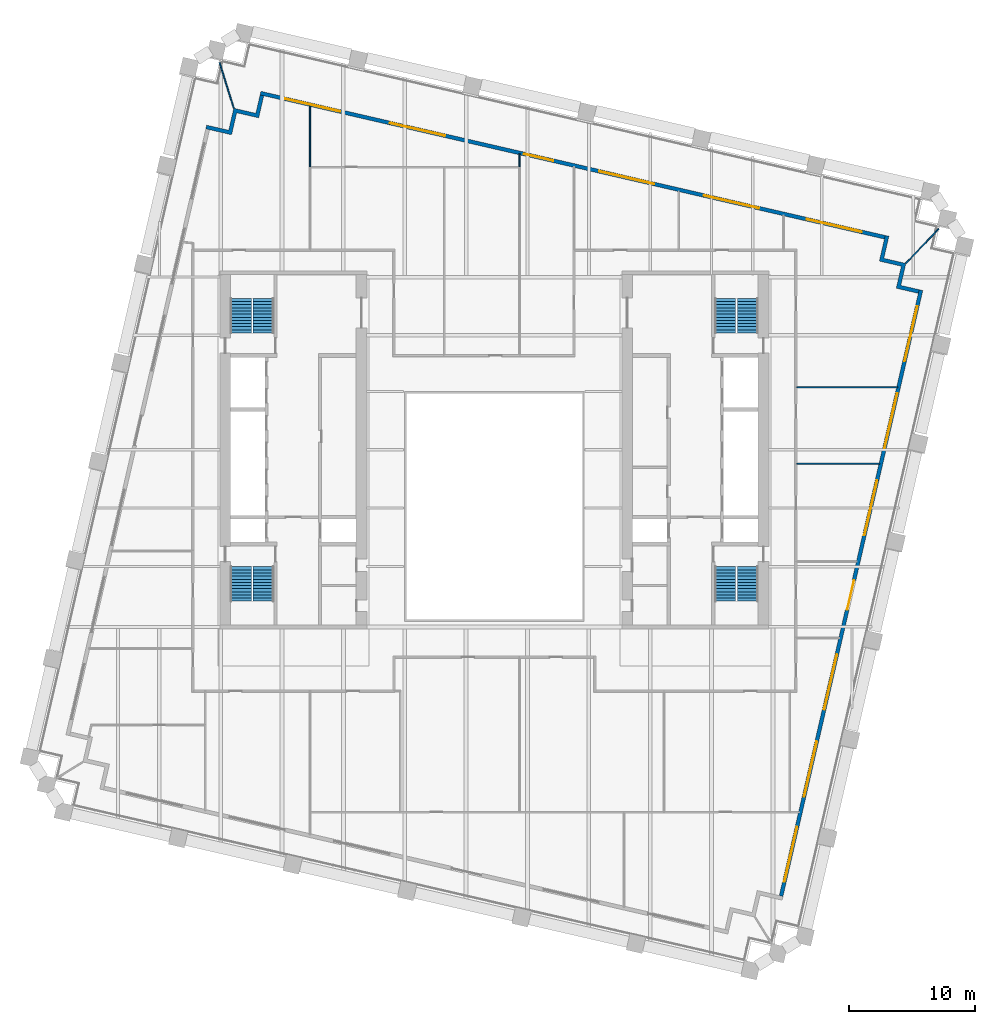
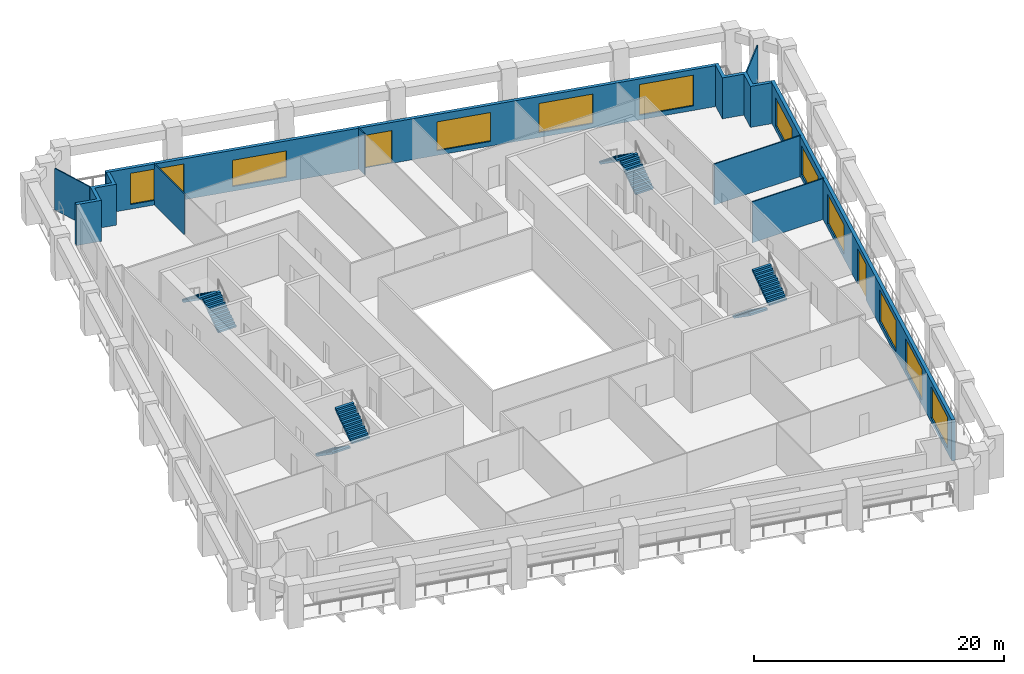
# One storey, part 8 of 10: 11 windows, 10 walls, 8 stair flights, 2 doors, 13 openings, 4 elements without a shape of their own.
"""IFC4 building model written with IfcOpenShell, lengths in metres."""

from ifc_helpers import new_model, si_unit, direction, frame, frame_2d, origin, place, context, subcontext, project, spatial, polyline, rectangle, outline, extrude, material, layer, layer_set, type_object, element, fill, aggregate, save


model = new_model("IFC4")

# Units and contexts
model_context = context("Model", 3, precision=1e-05, world=origin(), true_north=direction((0.0, 1.0)))
body_context = subcontext(model_context, "Body", "Model", "MODEL_VIEW")
ifc_project = project(units=[si_unit("LENGTHUNIT", "METRE"), si_unit("AREAUNIT", "SQUARE_METRE"), si_unit("VOLUMEUNIT", "CUBIC_METRE"), si_unit("PLANEANGLEUNIT", "RADIAN"), si_unit("MASSUNIT", "GRAM", prefix="KILO")], contexts=[model_context])

# Site, building, storey
site_placement = place(None, origin())
site = spatial("IfcSite", under=ifc_project, at=site_placement, CompositionType="ELEMENT")
building_placement = place(site_placement, origin())
building = spatial("IfcBuilding", under=site, at=building_placement, Name="Ogive Exchange Tower", CompositionType="ELEMENT")
storey_placement = place(building_placement, frame((0.0, 0.0, 118.199951171875)))
storey = spatial("IfcBuildingStorey", under=building, at=storey_placement, Name="L25", CompositionType="ELEMENT", Elevation=118.199951171875)

# Wall, openings, door, windows
ifc_material_1 = material(Name="Precast concrete C40/50", Category="concrete")
ifc_layer_1 = layer(ifc_material_1, 0.300048828125)
ifc_layer_set_1 = layer_set([ifc_layer_1], Name="Limestone-faced wall 300")
wall_type_1 = type_object("IfcWallType", Name="Limestone-faced wall 300", PredefinedType="STANDARD", material=ifc_layer_set_1)
wall_1_placement = place(storey_placement, frame((22.8203125, -24.015625, 0.0), z_axis=(0.0, 0.0, 1.0), x_axis=(0.224953880882, 0.974369412223, 0.0)))
wall_1 = element("IfcWall", 1, at=wall_1_placement, inside=storey, type_object=wall_type_1, Name="External wall E2", PredefinedType="STANDARD", context=body_context, shape_type="SweptSolid", body=[
    extrude(rectangle(XDim=49.500244140625, YDim=0.300048828125, at=frame_2d((24.75, 0.0))), origin(), (0.0, 0.0, 1.0), 4.0),
])
opening_1_placement = place(wall_1_placement, frame((1.156982421875, 0.0, 0.449951171875)))
opening_1 = element("IfcOpeningElement", 2, at=opening_1_placement, cuts=wall_1, Name="Opening W1", PredefinedType="OPENING", context=body_context, shape_type="SweptSolid", body=[
    extrude(rectangle(XDim=4.5, YDim=3.050048828125, at=frame_2d((2.25, 1.52490234375))), frame((0.0, 0.159912109375, 0.0), z_axis=(0.0, -1.0, 0.0), x_axis=(1.0, 0.0, 0.0)), (0.0, 0.0, 1.0), 0.320068359375),
])
opening_2_placement = place(wall_1_placement, frame((8.121337890625, 0.0, 0.449951171875)))
opening_2 = element("IfcOpeningElement", 3, at=opening_2_placement, cuts=wall_1, Name="Opening W1", PredefinedType="OPENING", context=body_context, shape_type="SweptSolid", body=[
    extrude(rectangle(XDim=4.5, YDim=3.050048828125, at=frame_2d((2.25, 1.52490234375))), frame((0.0, 0.159912109375, 0.0), z_axis=(0.0, -1.0, 0.0), x_axis=(1.0, 0.0, 0.0)), (0.0, 0.0, 1.0), 0.320068359375),
])
opening_3_placement = place(wall_1_placement, frame((15.235595703125, 0.0, 0.449951171875)))
opening_3 = element("IfcOpeningElement", 4, at=opening_3_placement, cuts=wall_1, Name="Opening W1", PredefinedType="OPENING", context=body_context, shape_type="SweptSolid", body=[
    extrude(rectangle(XDim=4.5, YDim=3.050048828125, at=frame_2d((2.25, 1.52490234375))), frame((0.0, 0.159912109375, 0.0), z_axis=(0.0, -1.0, 0.0), x_axis=(1.0, 0.0, 0.0)), (0.0, 0.0, 1.0), 0.320068359375),
])
opening_4_placement = place(wall_1_placement, frame((23.39990234375, 0.0, 0.0)))
opening_4 = element("IfcOpeningElement", 5, at=opening_4_placement, cuts=wall_1, Name="Opening D1", PredefinedType="OPENING", context=body_context, shape_type="SweptSolid", body=[
    extrude(rectangle(XDim=2.39990234375, YDim=3.5, at=frame_2d((1.199951171875, 1.75))), frame((0.0, 0.159912109375, 0.0), z_axis=(0.0, -1.0, 0.0), x_axis=(1.0, 0.0, 0.0)), (0.0, 0.0, 1.0), 0.320068359375),
])
opening_5_placement = place(wall_1_placement, frame((29.464111328125, 0.0, 0.449951171875)))
opening_5 = element("IfcOpeningElement", 6, at=opening_5_placement, cuts=wall_1, Name="Opening W1D", PredefinedType="OPENING", context=body_context, shape_type="SweptSolid", body=[
    extrude(rectangle(XDim=4.5, YDim=2.875, at=frame_2d((2.25, 1.4375))), frame((0.0, 0.159912109375, 0.0), z_axis=(0.0, -1.0, 0.0), x_axis=(1.0, 0.0, 0.0)), (0.0, 0.0, 1.0), 0.320068359375),
])
opening_6_placement = place(wall_1_placement, frame((36.57861328125, 0.0, 0.449951171875)))
opening_6 = element("IfcOpeningElement", 7, at=opening_6_placement, cuts=wall_1, Name="Opening W1E", PredefinedType="OPENING", context=body_context, shape_type="SweptSolid", body=[
    extrude(rectangle(XDim=4.5, YDim=2.824951171875, at=frame_2d((2.25, 1.41259765625))), frame((0.0, 0.159912109375, 0.0), z_axis=(0.0, -1.0, 0.0), x_axis=(1.0, 0.0, 0.0)), (0.0, 0.0, 1.0), 0.320068359375),
])
opening_7_placement = place(wall_1_placement, frame((43.69287109375, 0.0, 0.449951171875)))
opening_7 = element("IfcOpeningElement", 8, at=opening_7_placement, cuts=wall_1, Name="Opening W1H", PredefinedType="OPENING", context=body_context, shape_type="SweptSolid", body=[
    extrude(rectangle(XDim=4.5, YDim=2.75, at=frame_2d((2.25, 1.375))), frame((0.0, 0.159912109375, 0.0), z_axis=(0.0, -1.0, 0.0), x_axis=(1.0, 0.0, 0.0)), (0.0, 0.0, 1.0), 0.320068359375),
])
ifc_material_2 = material(Name="Clear glass in bronze frame", Category="glass")
door_type_1 = type_object("IfcDoorType", Name="Sliding loggia door 2400 x 3500", OperationType="DOUBLE_DOOR_SLIDING", PredefinedType="DOOR", material=ifc_material_2)
door_1_placement = place(opening_4_placement, origin())
door_1 = element("IfcDoor", 9, at=door_1_placement, inside=storey, type_object=door_type_1, Name="Loggia door E03", OperationType="DOUBLE_DOOR_SLIDING", OverallHeight=3.5, OverallWidth=2.39990234375, PredefinedType="DOOR", context=body_context, shape_type="SweptSolid", body=[
    extrude(rectangle(XDim=2.39990234375, YDim=3.5, at=frame_2d((1.199951171875, 1.75))), frame((0.0, 0.02490234375, 0.0), z_axis=(0.0, -1.0, 0.0), x_axis=(1.0, 0.0, 0.0)), (0.0, 0.0, 1.0), 0.050048828125),
])
fill(opening_4, door_1)
window_type_1 = type_object("IfcWindowType", Name="Twin lancet window 4500 x 2750", PartitioningType="DOUBLE_PANEL_VERTICAL", PredefinedType="WINDOW", material=ifc_material_2)
window_1_placement = place(opening_7_placement, origin())
window_1 = element("IfcWindow", 10, at=window_1_placement, inside=storey, type_object=window_type_1, Name="Window E06", OverallHeight=2.75, OverallWidth=4.5, PartitioningType="DOUBLE_PANEL_VERTICAL", PredefinedType="WINDOW", context=body_context, shape_type="SweptSolid", body=[
    extrude(rectangle(XDim=4.5, YDim=2.75, at=frame_2d((2.25, 1.375))), frame((0.0, 0.030029296875, 0.0), z_axis=(0.0, -1.0, 0.0), x_axis=(1.0, 0.0, 0.0)), (0.0, 0.0, 1.0), 0.06005859375),
])
fill(opening_7, window_1)
window_type_2 = type_object("IfcWindowType", Name="Twin lancet window 4500 x 2825", PartitioningType="DOUBLE_PANEL_VERTICAL", PredefinedType="WINDOW", material=ifc_material_2)
window_2_placement = place(opening_6_placement, origin())
window_2 = element("IfcWindow", 11, at=window_2_placement, inside=storey, type_object=window_type_2, Name="Window E05", OverallHeight=2.824951171875, OverallWidth=4.5, PartitioningType="DOUBLE_PANEL_VERTICAL", PredefinedType="WINDOW", context=body_context, shape_type="SweptSolid", body=[
    extrude(rectangle(XDim=4.5, YDim=2.824951171875, at=frame_2d((2.25, 1.41259765625))), frame((0.0, 0.030029296875, 0.0), z_axis=(0.0, -1.0, 0.0), x_axis=(1.0, 0.0, 0.0)), (0.0, 0.0, 1.0), 0.06005859375),
])
fill(opening_6, window_2)
window_type_3 = type_object("IfcWindowType", Name="Twin lancet window 4500 x 2875", PartitioningType="DOUBLE_PANEL_VERTICAL", PredefinedType="WINDOW", material=ifc_material_2)
window_3_placement = place(opening_5_placement, origin())
window_3 = element("IfcWindow", 12, at=window_3_placement, inside=storey, type_object=window_type_3, Name="Window E04", OverallHeight=2.875, OverallWidth=4.5, PartitioningType="DOUBLE_PANEL_VERTICAL", PredefinedType="WINDOW", context=body_context, shape_type="SweptSolid", body=[
    extrude(rectangle(XDim=4.5, YDim=2.875, at=frame_2d((2.25, 1.4375))), frame((0.0, 0.030029296875, 0.0), z_axis=(0.0, -1.0, 0.0), x_axis=(1.0, 0.0, 0.0)), (0.0, 0.0, 1.0), 0.06005859375),
])
fill(opening_5, window_3)
window_type_4 = type_object("IfcWindowType", Name="Twin lancet window 4500 x 3050", PartitioningType="DOUBLE_PANEL_VERTICAL", PredefinedType="WINDOW", material=ifc_material_2)
window_4_placement = place(opening_1_placement, origin())
window_4 = element("IfcWindow", 13, at=window_4_placement, inside=storey, type_object=window_type_4, Name="Window E00", OverallHeight=3.050048828125, OverallWidth=4.5, PartitioningType="DOUBLE_PANEL_VERTICAL", PredefinedType="WINDOW", context=body_context, shape_type="SweptSolid", body=[
    extrude(rectangle(XDim=4.5, YDim=3.050048828125, at=frame_2d((2.25, 1.52490234375))), frame((0.0, 0.030029296875, 0.0), z_axis=(0.0, -1.0, 0.0), x_axis=(1.0, 0.0, 0.0)), (0.0, 0.0, 1.0), 0.06005859375),
])
fill(opening_1, window_4)
window_5_placement = place(opening_2_placement, origin())
window_5 = element("IfcWindow", 14, at=window_5_placement, inside=storey, type_object=window_type_4, Name="Window E01", OverallHeight=3.050048828125, OverallWidth=4.5, PartitioningType="DOUBLE_PANEL_VERTICAL", PredefinedType="WINDOW", context=body_context, shape_type="SweptSolid", body=[
    extrude(rectangle(XDim=4.5, YDim=3.050048828125, at=frame_2d((2.25, 1.52490234375))), frame((0.0, 0.030029296875, 0.0), z_axis=(0.0, -1.0, 0.0), x_axis=(1.0, 0.0, 0.0)), (0.0, 0.0, 1.0), 0.06005859375),
])
fill(opening_2, window_5)
window_6_placement = place(opening_3_placement, origin())
window_6 = element("IfcWindow", 15, at=window_6_placement, inside=storey, type_object=window_type_4, Name="Window E02", OverallHeight=3.050048828125, OverallWidth=4.5, PartitioningType="DOUBLE_PANEL_VERTICAL", PredefinedType="WINDOW", context=body_context, shape_type="SweptSolid", body=[
    extrude(rectangle(XDim=4.5, YDim=3.050048828125, at=frame_2d((2.25, 1.52490234375))), frame((0.0, 0.030029296875, 0.0), z_axis=(0.0, -1.0, 0.0), x_axis=(1.0, 0.0, 0.0)), (0.0, 0.0, 1.0), 0.06005859375),
])
fill(opening_3, window_6)

wall_2_placement = place(storey_placement, frame((31.07763671875, 28.4208984375, 0.0), z_axis=(0.0, 0.0, 1.0), x_axis=(-0.974370456532, 0.224949357493, 0.0)))
wall_2 = element("IfcWall", 16, at=wall_2_placement, inside=storey, type_object=wall_type_1, Name="External wall N3", PredefinedType="STANDARD", context=body_context, shape_type="SweptSolid", body=[
    extrude(rectangle(XDim=51.0, YDim=0.300048828125, at=frame_2d((25.5, 0.0))), origin(), (0.0, 0.0, 1.0), 4.0),
])
opening_8_placement = place(wall_2_placement, frame((1.875, 0.0, 0.449951171875)))
opening_8 = element("IfcOpeningElement", 17, at=opening_8_placement, cuts=wall_2, Name="Opening W1A", PredefinedType="OPENING", context=body_context, shape_type="SweptSolid", body=[
    extrude(rectangle(XDim=4.5, YDim=3.0, at=frame_2d((2.25, 1.5))), frame((0.0, 0.159912109375, 0.0), z_axis=(0.0, -1.0, 0.0), x_axis=(1.0, 0.0, 0.0)), (0.0, 0.0, 1.0), 0.320068359375),
])
opening_9_placement = place(wall_2_placement, frame((10.27490234375, 0.0, 0.449951171875)))
opening_9 = element("IfcOpeningElement", 18, at=opening_9_placement, cuts=wall_2, Name="Opening W1D", PredefinedType="OPENING", context=body_context, shape_type="SweptSolid", body=[
    extrude(rectangle(XDim=4.5, YDim=2.875, at=frame_2d((2.25, 1.4375))), frame((0.0, 0.159912109375, 0.0), z_axis=(0.0, -1.0, 0.0), x_axis=(1.0, 0.0, 0.0)), (0.0, 0.0, 1.0), 0.320068359375),
])
opening_10_placement = place(wall_2_placement, frame((18.824951171875, 0.0, 0.449951171875)))
opening_10 = element("IfcOpeningElement", 19, at=opening_10_placement, cuts=wall_2, Name="Opening W1E", PredefinedType="OPENING", context=body_context, shape_type="SweptSolid", body=[
    extrude(rectangle(XDim=4.5, YDim=2.824951171875, at=frame_2d((2.25, 1.41259765625))), frame((0.0, 0.159912109375, 0.0), z_axis=(0.0, -1.0, 0.0), x_axis=(1.0, 0.0, 0.0)), (0.0, 0.0, 1.0), 0.320068359375),
])
opening_11_placement = place(wall_2_placement, frame((27.074951171875, 0.0, 0.0)))
opening_11 = element("IfcOpeningElement", 20, at=opening_11_placement, cuts=wall_2, Name="Opening D1H", PredefinedType="OPENING", context=body_context, shape_type="SweptSolid", body=[
    extrude(rectangle(XDim=2.39990234375, YDim=3.199951171875, at=frame_2d((1.199951171875, 1.60009765625))), frame((0.0, 0.159912109375, 0.0), z_axis=(0.0, -1.0, 0.0), x_axis=(1.0, 0.0, 0.0)), (0.0, 0.0, 1.0), 0.320068359375),
])
opening_12_placement = place(wall_2_placement, frame((35.925048828125, 0.0, 0.449951171875)))
opening_12 = element("IfcOpeningElement", 21, at=opening_12_placement, cuts=wall_2, Name="Opening W1M", PredefinedType="OPENING", context=body_context, shape_type="SweptSolid", body=[
    extrude(rectangle(XDim=4.5, YDim=2.574951171875, at=frame_2d((2.25, 1.28759765625))), frame((0.0, 0.159912109375, 0.0), z_axis=(0.0, -1.0, 0.0), x_axis=(1.0, 0.0, 0.0)), (0.0, 0.0, 1.0), 0.320068359375),
])
opening_13_placement = place(wall_2_placement, frame((44.47509765625, 0.0, 0.449951171875)))
opening_13 = element("IfcOpeningElement", 22, at=opening_13_placement, cuts=wall_2, Name="Opening W1", PredefinedType="OPENING", context=body_context, shape_type="SweptSolid", body=[
    extrude(rectangle(XDim=4.5, YDim=3.050048828125, at=frame_2d((2.25, 1.52490234375))), frame((0.0, 0.159912109375, 0.0), z_axis=(0.0, -1.0, 0.0), x_axis=(1.0, 0.0, 0.0)), (0.0, 0.0, 1.0), 0.320068359375),
])
door_type_2 = type_object("IfcDoorType", Name="Sliding loggia door 2400 x 3200", OperationType="DOUBLE_DOOR_SLIDING", PredefinedType="DOOR", material=ifc_material_2)
door_2_placement = place(opening_11_placement, origin())
door_2 = element("IfcDoor", 23, at=door_2_placement, inside=storey, type_object=door_type_2, Name="Loggia door N03", OperationType="DOUBLE_DOOR_SLIDING", OverallHeight=3.199951171875, OverallWidth=2.39990234375, PredefinedType="DOOR", context=body_context, shape_type="SweptSolid", body=[
    extrude(rectangle(XDim=2.39990234375, YDim=3.199951171875, at=frame_2d((1.199951171875, 1.60009765625))), frame((0.0, 0.02490234375, 0.0), z_axis=(0.0, -1.0, 0.0), x_axis=(1.0, 0.0, 0.0)), (0.0, 0.0, 1.0), 0.050048828125),
])
fill(opening_11, door_2)
window_type_5 = type_object("IfcWindowType", Name="Twin lancet window 4500 x 2575", PartitioningType="DOUBLE_PANEL_VERTICAL", PredefinedType="WINDOW", material=ifc_material_2)
window_7_placement = place(opening_12_placement, origin())
window_7 = element("IfcWindow", 24, at=window_7_placement, inside=storey, type_object=window_type_5, Name="Window N04", OverallHeight=2.574951171875, OverallWidth=4.5, PartitioningType="DOUBLE_PANEL_VERTICAL", PredefinedType="WINDOW", context=body_context, shape_type="SweptSolid", body=[
    extrude(rectangle(XDim=4.5, YDim=2.574951171875, at=frame_2d((2.25, 1.28759765625))), frame((0.0, 0.030029296875, 0.0), z_axis=(0.0, -1.0, 0.0), x_axis=(1.0, 0.0, 0.0)), (0.0, 0.0, 1.0), 0.06005859375),
])
fill(opening_12, window_7)
window_8_placement = place(opening_10_placement, origin())
window_8 = element("IfcWindow", 25, at=window_8_placement, inside=storey, type_object=window_type_2, Name="Window N02", OverallHeight=2.824951171875, OverallWidth=4.5, PartitioningType="DOUBLE_PANEL_VERTICAL", PredefinedType="WINDOW", context=body_context, shape_type="SweptSolid", body=[
    extrude(rectangle(XDim=4.5, YDim=2.824951171875, at=frame_2d((2.25, 1.41259765625))), frame((0.0, 0.030029296875, 0.0), z_axis=(0.0, -1.0, 0.0), x_axis=(1.0, 0.0, 0.0)), (0.0, 0.0, 1.0), 0.06005859375),
])
fill(opening_10, window_8)
window_9_placement = place(opening_9_placement, origin())
window_9 = element("IfcWindow", 26, at=window_9_placement, inside=storey, type_object=window_type_3, Name="Window N01", OverallHeight=2.875, OverallWidth=4.5, PartitioningType="DOUBLE_PANEL_VERTICAL", PredefinedType="WINDOW", context=body_context, shape_type="SweptSolid", body=[
    extrude(rectangle(XDim=4.5, YDim=2.875, at=frame_2d((2.25, 1.4375))), frame((0.0, 0.030029296875, 0.0), z_axis=(0.0, -1.0, 0.0), x_axis=(1.0, 0.0, 0.0)), (0.0, 0.0, 1.0), 0.06005859375),
])
fill(opening_9, window_9)
window_type_6 = type_object("IfcWindowType", Name="Twin lancet window 4500 x 3000", PartitioningType="DOUBLE_PANEL_VERTICAL", PredefinedType="WINDOW", material=ifc_material_2)
window_10_placement = place(opening_8_placement, origin())
window_10 = element("IfcWindow", 27, at=window_10_placement, inside=storey, type_object=window_type_6, Name="Window N00", OverallHeight=3.0, OverallWidth=4.5, PartitioningType="DOUBLE_PANEL_VERTICAL", PredefinedType="WINDOW", context=body_context, shape_type="SweptSolid", body=[
    extrude(rectangle(XDim=4.5, YDim=3.0, at=frame_2d((2.25, 1.5))), frame((0.0, 0.030029296875, 0.0), z_axis=(0.0, -1.0, 0.0), x_axis=(1.0, 0.0, 0.0)), (0.0, 0.0, 1.0), 0.06005859375),
])
fill(opening_8, window_10)
window_11_placement = place(opening_13_placement, origin())
window_11 = element("IfcWindow", 28, at=window_11_placement, inside=storey, type_object=window_type_4, Name="Window N05", OverallHeight=3.050048828125, OverallWidth=4.5, PartitioningType="DOUBLE_PANEL_VERTICAL", PredefinedType="WINDOW", context=body_context, shape_type="SweptSolid", body=[
    extrude(rectangle(XDim=4.5, YDim=3.050048828125, at=frame_2d((2.25, 1.52490234375))), frame((0.0, 0.030029296875, 0.0), z_axis=(0.0, -1.0, 0.0), x_axis=(1.0, 0.0, 0.0)), (0.0, 0.0, 1.0), 0.06005859375),
])
fill(opening_13, window_11)

# Walls
wall_3_placement = place(storey_placement, origin())
element("IfcWall", 29, at=wall_3_placement, inside=storey, type_object=wall_type_1, Name="External corner wall C2", PredefinedType="STANDARD", context=body_context, shape_type="SweptSolid", body=[
    extrude(outline(polyline([(32.392822265625, 26.115966796875), (30.638916015625, 26.52099609375), (31.111328125, 28.56689453125), (31.40380859375, 28.49951171875), (30.998779296875, 26.74560546875), (32.752685546875, 26.3408203125), (32.34765625, 24.5869140625), (33.809326171875, 24.24951171875), (33.74169921875, 23.957275390625), (31.98779296875, 24.362060546875), (32.392822265625, 26.115966796875)])), origin(), (0.0, 0.0, 1.0), 4.0),
])
wall_4_placement = place(storey_placement, origin())
element("IfcWall", 30, at=wall_4_placement, inside=storey, type_object=wall_type_1, Name="External corner wall C3", PredefinedType="STANDARD", context=body_context, shape_type="SweptSolid", body=[
    extrude(outline(polyline([(-22.966552734375, 37.04931640625), (-22.89892578125, 37.341552734375), (-21.145263671875, 36.936767578125), (-20.740234375, 38.690673828125), (-18.986328125, 38.28564453125), (-18.64892578125, 39.747314453125), (-18.356689453125, 39.6796875), (-18.76171875, 37.92578125), (-20.515380859375, 38.330810546875), (-20.92041015625, 36.576904296875), (-22.966552734375, 37.04931640625)])), origin(), (0.0, 0.0, 1.0), 4.0),
])
ifc_material_3 = material(Name="Laminated safety glass in steel frame", Category="steel")
ifc_layer_2 = layer(ifc_material_3, 0.10009765625)
ifc_layer_set_2 = layer_set([ifc_layer_2], Name="Loggia end screen 100")
wall_type_2 = type_object("IfcWallType", Name="Loggia end screen 100", PredefinedType="STANDARD", material=ifc_layer_set_2)
for number, where, z_axis, x_axis, name in (
    (31, (32.752685546875, 26.3408203125, -0.050048828125), (0.0, 0.0, 1.0), (0.687094563373, 0.726568001624, 0.0), "Loggia end screen C2"),
    (32, (-20.740234375, 38.690673828125, -0.050048828125), (0.0, 0.0, 1.0), (-0.299038724035, 0.954240976655, 0.0), "Loggia end screen C3"),
):
    element("IfcWall", number, at=place(storey_placement, frame(where, z_axis=z_axis, x_axis=x_axis)), inside=storey, type_object=wall_type_2, Name=name, PredefinedType="STANDARD", context=body_context, shape_type="SweptSolid", body=[
        extrude(rectangle(XDim=3.8037109375, YDim=0.10009765625, at=frame_2d((1.90185546875, 0.0))), origin(), (0.0, 0.0, 1.0), 4.050048828125),
    ])
ifc_material_4 = material(Name="Partition 100 gypsum")
ifc_layer_3 = layer(ifc_material_4, 0.10009765625)
ifc_layer_set_3 = layer_set([ifc_layer_3], Name="Partition 100 gypsum")
wall_type_3 = type_object("IfcWallType", Name="Partition 100 gypsum", PredefinedType="PARTITIONING", material=ifc_layer_set_3)
wall_5_placement = place(storey_placement, frame((-14.669921875, 34.050048828125, 0.0), z_axis=(0.0, 0.0, 1.0), x_axis=(0.0, 1.0, 0.0)))
element("IfcWall", 33, at=wall_5_placement, inside=storey, type_object=wall_type_3, Name="L25-PWL-020", PredefinedType="PARTITIONING", context=body_context, shape_type="SweptSolid", body=[
    extrude(rectangle(XDim=4.86083984375, YDim=0.10009765625, at=frame_2d((2.430419921875, 0.0))), origin(), (0.0, 0.0, 1.0), 4.0),
])
wall_6_placement = place(storey_placement, frame((1.989990234375, 35.06494140625, 0.0), z_axis=(0.0, 0.0, 1.0), x_axis=(0.0, -1.0, 0.0)))
element("IfcWall", 34, at=wall_6_placement, inside=storey, type_object=wall_type_3, Name="L25-PWL-037", PredefinedType="PARTITIONING", context=body_context, shape_type="SweptSolid", body=[
    extrude(rectangle(XDim=1.014892578125, YDim=0.10009765625, at=frame_2d((0.50732421875, 0.0))), origin(), (0.0, 0.0, 1.0), 4.0),
])
wall_7_placement = place(storey_placement, frame((24.074951171875, 10.389892578125, 0.0), z_axis=(0.0, 0.0, 1.0), x_axis=(1.0, 0.0, 0.0)))
element("IfcWall", 35, at=wall_7_placement, inside=storey, type_object=wall_type_3, Name="L25-PWL-062", PredefinedType="PARTITIONING", context=body_context, shape_type="SweptSolid", body=[
    extrude(rectangle(XDim=6.616943359375, YDim=0.10009765625, at=frame_2d((3.30859375, 0.0))), origin(), (0.0, 0.0, 1.0), 4.0),
])
wall_8_placement = place(storey_placement, frame((24.074951171875, 16.47998046875, 0.0), z_axis=(0.0, 0.0, 1.0), x_axis=(1.0, 0.0, 0.0)))
element("IfcWall", 36, at=wall_8_placement, inside=storey, type_object=wall_type_3, Name="L25-PWL-064", PredefinedType="PARTITIONING", context=body_context, shape_type="SweptSolid", body=[
    extrude(rectangle(XDim=8.02294921875, YDim=0.10009765625, at=frame_2d((4.011474609375, 0.0))), origin(), (0.0, 0.0, 1.0), 4.0),
])

# Stair, stair flights
ifc_material_5 = material(Name="Concrete C40/50", Category="concrete")
stair_type = type_object("IfcStairType", Name="Exit stair 1650 wide", PredefinedType="HALF_TURN_STAIR", material=ifc_material_5)
stair_1_placement = place(storey_placement, origin())
stair_1 = element("IfcStair", 37, at=stair_1_placement, inside=storey, type_object=stair_type, Name="L25 exit stair ST1", PredefinedType="HALF_TURN_STAIR")
stair_flight_type = type_object("IfcStairFlightType", Name="Stair flight 1650 wide", PredefinedType="STRAIGHT", material=ifc_material_5)
stair_flight_1_placement = place(storey_placement, frame((-20.175048828125, 2.199951171875, 0.0), z_axis=(0.0, 0.0, 1.0), x_axis=(0.0, -1.0, 0.0)))
stair_flight_1 = element("IfcStairFlight", 38, at=stair_flight_1_placement, type_object=stair_flight_type, Name="ST1 flight 1", NumberOfRisers=12, NumberOfTreads=11, PredefinedType="STRAIGHT", RiserHeight=0.175, TreadLength=0.25, context=body_context, shape_type="SweptSolid", body=[
    extrude(outline(polyline([(0.0, 0.0), (0.0, 0.175048828125), (0.25, 0.175048828125), (0.25, 0.35009765625), (0.5, 0.35009765625), (0.5, 0.52490234375), (0.75, 0.52490234375), (0.75, 0.699951171875), (1.0, 0.699951171875), (1.0, 0.875), (1.25, 0.875), (1.25, 1.050048828125), (1.5, 1.050048828125), (1.5, 1.22509765625), (1.75, 1.22509765625), (1.75, 1.39990234375), (2.0, 1.39990234375), (2.0, 1.574951171875), (2.25, 1.574951171875), (2.25, 1.75), (2.5, 1.75), (2.5, 1.925048828125), (2.75, 1.925048828125), (2.75, 2.10009765625), (2.75, 1.741943359375), (0.261474609375, 0.0), (0.0, 0.0)])), frame((0.0, 0.824951171875, 0.0), z_axis=(0.0, -1.0, 0.0), x_axis=(1.0, 0.0, 0.0)), (0.0, 0.0, 1.0), 1.64990234375),
])
stair_flight_2_placement = place(storey_placement, frame((-18.375, -0.550048828125, 2.10009765625), z_axis=(0.0, 0.0, 1.0), x_axis=(0.0, 1.0, 0.0)))
stair_flight_2 = element("IfcStairFlight", 39, at=stair_flight_2_placement, type_object=stair_flight_type, Name="ST1 flight 2", NumberOfRisers=12, NumberOfTreads=11, PredefinedType="STRAIGHT", RiserHeight=0.175, TreadLength=0.25, context=body_context, shape_type="SweptSolid", body=[
    extrude(outline(polyline([(0.0, 0.0), (0.0, 0.175048828125), (0.25, 0.175048828125), (0.25, 0.35009765625), (0.5, 0.35009765625), (0.5, 0.52490234375), (0.75, 0.52490234375), (0.75, 0.699951171875), (1.0, 0.699951171875), (1.0, 0.875), (1.25, 0.875), (1.25, 1.050048828125), (1.5, 1.050048828125), (1.5, 1.22509765625), (1.75, 1.22509765625), (1.75, 1.39990234375), (2.0, 1.39990234375), (2.0, 1.574951171875), (2.25, 1.574951171875), (2.25, 1.75), (2.5, 1.75), (2.5, 1.925048828125), (2.75, 1.925048828125), (2.75, 2.10009765625), (2.75, 1.741943359375), (0.261474609375, 0.0), (0.0, 0.0)])), frame((0.0, 0.824951171875, 0.0), z_axis=(0.0, -1.0, 0.0), x_axis=(1.0, 0.0, 0.0)), (0.0, 0.0, 1.0), 1.64990234375),
])
aggregate(stair_1, [stair_flight_1, stair_flight_2])

stair_2_placement = place(storey_placement, origin())
stair_2 = element("IfcStair", 40, at=stair_2_placement, inside=storey, type_object=stair_type, Name="L25 exit stair ST2", PredefinedType="HALF_TURN_STAIR")
stair_flight_3_placement = place(storey_placement, frame((-18.375, 20.800048828125, 0.0), z_axis=(0.0, 0.0, 1.0), x_axis=(0.0, 1.0, 0.0)))
stair_flight_3 = element("IfcStairFlight", 41, at=stair_flight_3_placement, type_object=stair_flight_type, Name="ST2 flight 1", NumberOfRisers=12, NumberOfTreads=11, PredefinedType="STRAIGHT", RiserHeight=0.175, TreadLength=0.25, context=body_context, shape_type="SweptSolid", body=[
    extrude(outline(polyline([(0.0, 0.0), (0.0, 0.175048828125), (0.25, 0.175048828125), (0.25, 0.35009765625), (0.5, 0.35009765625), (0.5, 0.52490234375), (0.75, 0.52490234375), (0.75, 0.699951171875), (1.0, 0.699951171875), (1.0, 0.875), (1.25, 0.875), (1.25, 1.050048828125), (1.5, 1.050048828125), (1.5, 1.22509765625), (1.75, 1.22509765625), (1.75, 1.39990234375), (2.0, 1.39990234375), (2.0, 1.574951171875), (2.25, 1.574951171875), (2.25, 1.75), (2.5, 1.75), (2.5, 1.925048828125), (2.75, 1.925048828125), (2.75, 2.10009765625), (2.75, 1.741943359375), (0.261474609375, 0.0), (0.0, 0.0)])), frame((0.0, 0.824951171875, 0.0), z_axis=(0.0, -1.0, 0.0), x_axis=(1.0, 0.0, 0.0)), (0.0, 0.0, 1.0), 1.64990234375),
])
stair_flight_4_placement = place(storey_placement, frame((-20.175048828125, 23.550048828125, 2.10009765625), z_axis=(0.0, 0.0, 1.0), x_axis=(0.0, -1.0, 0.0)))
stair_flight_4 = element("IfcStairFlight", 42, at=stair_flight_4_placement, type_object=stair_flight_type, Name="ST2 flight 2", NumberOfRisers=12, NumberOfTreads=11, PredefinedType="STRAIGHT", RiserHeight=0.175, TreadLength=0.25, context=body_context, shape_type="SweptSolid", body=[
    extrude(outline(polyline([(0.0, 0.0), (0.0, 0.175048828125), (0.25, 0.175048828125), (0.25, 0.35009765625), (0.5, 0.35009765625), (0.5, 0.52490234375), (0.75, 0.52490234375), (0.75, 0.699951171875), (1.0, 0.699951171875), (1.0, 0.875), (1.25, 0.875), (1.25, 1.050048828125), (1.5, 1.050048828125), (1.5, 1.22509765625), (1.75, 1.22509765625), (1.75, 1.39990234375), (2.0, 1.39990234375), (2.0, 1.574951171875), (2.25, 1.574951171875), (2.25, 1.75), (2.5, 1.75), (2.5, 1.925048828125), (2.75, 1.925048828125), (2.75, 2.10009765625), (2.75, 1.741943359375), (0.261474609375, 0.0), (0.0, 0.0)])), frame((0.0, 0.824951171875, 0.0), z_axis=(0.0, -1.0, 0.0), x_axis=(1.0, 0.0, 0.0)), (0.0, 0.0, 1.0), 1.64990234375),
])
aggregate(stair_2, [stair_flight_3, stair_flight_4])

stair_3_placement = place(storey_placement, origin())
stair_3 = element("IfcStair", 43, at=stair_3_placement, inside=storey, type_object=stair_type, Name="L25 exit stair ST3", PredefinedType="HALF_TURN_STAIR")
stair_flight_5_placement = place(storey_placement, frame((18.375, 2.199951171875, 0.0), z_axis=(0.0, 0.0, 1.0), x_axis=(0.0, -1.0, 0.0)))
stair_flight_5 = element("IfcStairFlight", 44, at=stair_flight_5_placement, type_object=stair_flight_type, Name="ST3 flight 1", NumberOfRisers=12, NumberOfTreads=11, PredefinedType="STRAIGHT", RiserHeight=0.175, TreadLength=0.25, context=body_context, shape_type="SweptSolid", body=[
    extrude(outline(polyline([(0.0, 0.0), (0.0, 0.175048828125), (0.25, 0.175048828125), (0.25, 0.35009765625), (0.5, 0.35009765625), (0.5, 0.52490234375), (0.75, 0.52490234375), (0.75, 0.699951171875), (1.0, 0.699951171875), (1.0, 0.875), (1.25, 0.875), (1.25, 1.050048828125), (1.5, 1.050048828125), (1.5, 1.22509765625), (1.75, 1.22509765625), (1.75, 1.39990234375), (2.0, 1.39990234375), (2.0, 1.574951171875), (2.25, 1.574951171875), (2.25, 1.75), (2.5, 1.75), (2.5, 1.925048828125), (2.75, 1.925048828125), (2.75, 2.10009765625), (2.75, 1.741943359375), (0.261474609375, 0.0), (0.0, 0.0)])), frame((0.0, 0.824951171875, 0.0), z_axis=(0.0, -1.0, 0.0), x_axis=(1.0, 0.0, 0.0)), (0.0, 0.0, 1.0), 1.64990234375),
])
stair_flight_6_placement = place(storey_placement, frame((20.175048828125, -0.550048828125, 2.10009765625), z_axis=(0.0, 0.0, 1.0), x_axis=(0.0, 1.0, 0.0)))
stair_flight_6 = element("IfcStairFlight", 45, at=stair_flight_6_placement, type_object=stair_flight_type, Name="ST3 flight 2", NumberOfRisers=12, NumberOfTreads=11, PredefinedType="STRAIGHT", RiserHeight=0.175, TreadLength=0.25, context=body_context, shape_type="SweptSolid", body=[
    extrude(outline(polyline([(0.0, 0.0), (0.0, 0.175048828125), (0.25, 0.175048828125), (0.25, 0.35009765625), (0.5, 0.35009765625), (0.5, 0.52490234375), (0.75, 0.52490234375), (0.75, 0.699951171875), (1.0, 0.699951171875), (1.0, 0.875), (1.25, 0.875), (1.25, 1.050048828125), (1.5, 1.050048828125), (1.5, 1.22509765625), (1.75, 1.22509765625), (1.75, 1.39990234375), (2.0, 1.39990234375), (2.0, 1.574951171875), (2.25, 1.574951171875), (2.25, 1.75), (2.5, 1.75), (2.5, 1.925048828125), (2.75, 1.925048828125), (2.75, 2.10009765625), (2.75, 1.741943359375), (0.261474609375, 0.0), (0.0, 0.0)])), frame((0.0, 0.824951171875, 0.0), z_axis=(0.0, -1.0, 0.0), x_axis=(1.0, 0.0, 0.0)), (0.0, 0.0, 1.0), 1.64990234375),
])
aggregate(stair_3, [stair_flight_5, stair_flight_6])

stair_4_placement = place(storey_placement, origin())
stair_4 = element("IfcStair", 46, at=stair_4_placement, inside=storey, type_object=stair_type, Name="L25 exit stair ST4", PredefinedType="HALF_TURN_STAIR")
stair_flight_7_placement = place(storey_placement, frame((20.175048828125, 20.800048828125, 0.0), z_axis=(0.0, 0.0, 1.0), x_axis=(0.0, 1.0, 0.0)))
stair_flight_7 = element("IfcStairFlight", 47, at=stair_flight_7_placement, type_object=stair_flight_type, Name="ST4 flight 1", NumberOfRisers=12, NumberOfTreads=11, PredefinedType="STRAIGHT", RiserHeight=0.175, TreadLength=0.25, context=body_context, shape_type="SweptSolid", body=[
    extrude(outline(polyline([(0.0, 0.0), (0.0, 0.175048828125), (0.25, 0.175048828125), (0.25, 0.35009765625), (0.5, 0.35009765625), (0.5, 0.52490234375), (0.75, 0.52490234375), (0.75, 0.699951171875), (1.0, 0.699951171875), (1.0, 0.875), (1.25, 0.875), (1.25, 1.050048828125), (1.5, 1.050048828125), (1.5, 1.22509765625), (1.75, 1.22509765625), (1.75, 1.39990234375), (2.0, 1.39990234375), (2.0, 1.574951171875), (2.25, 1.574951171875), (2.25, 1.75), (2.5, 1.75), (2.5, 1.925048828125), (2.75, 1.925048828125), (2.75, 2.10009765625), (2.75, 1.741943359375), (0.261474609375, 0.0), (0.0, 0.0)])), frame((0.0, 0.824951171875, 0.0), z_axis=(0.0, -1.0, 0.0), x_axis=(1.0, 0.0, 0.0)), (0.0, 0.0, 1.0), 1.64990234375),
])
stair_flight_8_placement = place(storey_placement, frame((18.375, 23.550048828125, 2.10009765625), z_axis=(0.0, 0.0, 1.0), x_axis=(0.0, -1.0, 0.0)))
stair_flight_8 = element("IfcStairFlight", 48, at=stair_flight_8_placement, type_object=stair_flight_type, Name="ST4 flight 2", NumberOfRisers=12, NumberOfTreads=11, PredefinedType="STRAIGHT", RiserHeight=0.175, TreadLength=0.25, context=body_context, shape_type="SweptSolid", body=[
    extrude(outline(polyline([(0.0, 0.0), (0.0, 0.175048828125), (0.25, 0.175048828125), (0.25, 0.35009765625), (0.5, 0.35009765625), (0.5, 0.52490234375), (0.75, 0.52490234375), (0.75, 0.699951171875), (1.0, 0.699951171875), (1.0, 0.875), (1.25, 0.875), (1.25, 1.050048828125), (1.5, 1.050048828125), (1.5, 1.22509765625), (1.75, 1.22509765625), (1.75, 1.39990234375), (2.0, 1.39990234375), (2.0, 1.574951171875), (2.25, 1.574951171875), (2.25, 1.75), (2.5, 1.75), (2.5, 1.925048828125), (2.75, 1.925048828125), (2.75, 2.10009765625), (2.75, 1.741943359375), (0.261474609375, 0.0), (0.0, 0.0)])), frame((0.0, 0.824951171875, 0.0), z_axis=(0.0, -1.0, 0.0), x_axis=(1.0, 0.0, 0.0)), (0.0, 0.0, 1.0), 1.64990234375),
])
aggregate(stair_4, [stair_flight_7, stair_flight_8])

save(model, "model.ifc")
